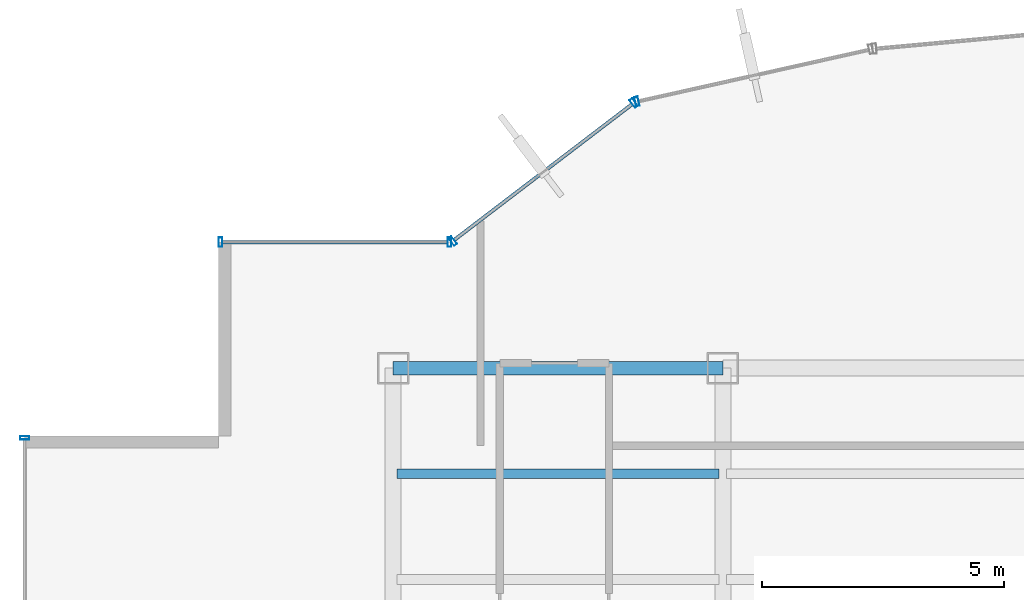
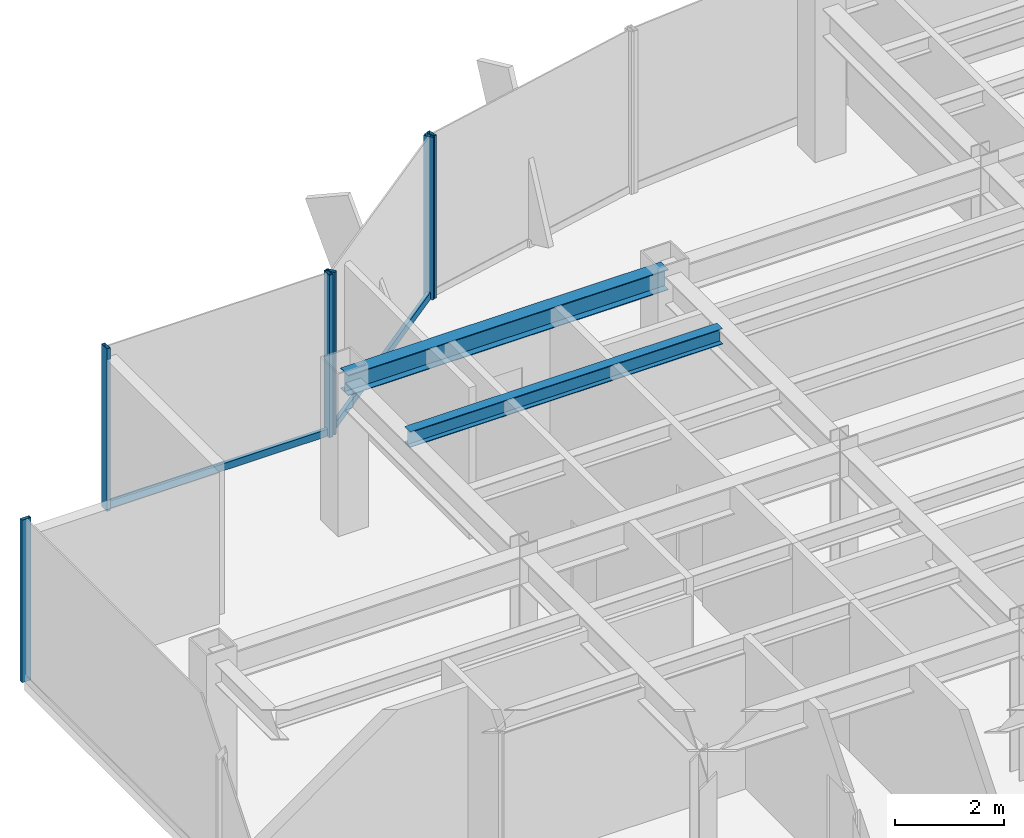
# One storey, part 14 of 25: 8 members, 2 beams, 4 elements without a shape of their own.
"""IFC4 building model written with IfcOpenShell, lengths in metres."""

from ifc_helpers import new_model, si_unit, derived_unit, direction, frame, origin, origin_2d, place, context, subcontext, project, spatial, hollow_rectangle, i_section, extrude, source, transform, mapped, material, material_profile, profile_set, type_object, element, aggregate, save


model = new_model("IFC4")

# Units and contexts
model_context = context("Model", 3, precision=1e-05, world=origin(), true_north=direction((0.0, 1.0)))
body_context = subcontext(model_context, "Body", "Model", "MODEL_VIEW")
ifc_project = project(units=[si_unit("LENGTHUNIT", "METRE"), si_unit("AREAUNIT", "SQUARE_METRE"), si_unit("VOLUMEUNIT", "CUBIC_METRE"), si_unit("PLANEANGLEUNIT", "RADIAN"), si_unit("MASSUNIT", "GRAM", prefix="KILO"), derived_unit("THERMALTRANSMITTANCEUNIT", [(si_unit("POWERUNIT", "WATT"), 1), (si_unit("LENGTHUNIT", "METRE"), -2), (si_unit("THERMODYNAMICTEMPERATUREUNIT", "KELVIN"), -1)])], contexts=[model_context])

# Site, building, storey
site_placement = place(None, origin())
site = spatial("IfcSite", under=ifc_project, at=site_placement, CompositionType="ELEMENT")
building_placement = place(site_placement, origin())
building = spatial("IfcBuilding", under=site, at=building_placement, Name="Skarnbrae Concourse Arena and Tower", CompositionType="ELEMENT")
storey_placement = place(building_placement, frame((0.0, 0.0, 169.800048828125)))
storey = spatial("IfcBuildingStorey", under=building, at=storey_placement, Name="L43", CompositionType="ELEMENT", Elevation=169.800048828125)

# Beams
ifc_material_1 = material(Name="Steel CSA G40.21 350W", Category="steel")
ifc_material_profile_1 = material_profile(ifc_material_1, i_section(OverallWidth=0.280029296875, OverallDepth=0.462890625, WebThickness=0.0107421875, FlangeThickness=0.017333984375, at=origin_2d()), Name="W460X113")
ifc_profile_set_1 = profile_set([ifc_material_profile_1], Name="Steel CSA G40.21 350W")
beam_type_1 = type_object("IfcBeamType", Name="BM-SPAN-W460X113", PredefinedType="SPANDREL", material=ifc_profile_set_1)
shared_shape_1 = source(origin(), body_context, "Body", "SweptSolid", [
    extrude(i_section(OverallWidth=0.280029296875, OverallDepth=0.462890625, WebThickness=0.0107421875, FlangeThickness=0.017333984375, at=origin_2d()), origin(), (0.0, 0.0, 1.0), 6.7998046875),
])
beam_1_placement = place(storey_placement, frame((7.60009765625, 34.39990234375, 3.16845703125), z_axis=(1.0, 0.0, 0.0), x_axis=(0.0, 1.0, 0.0)))
element("IfcBeam", 1, at=beam_1_placement, inside=storey, type_object=beam_type_1, Name="L43 Perimeter spandrel Y34.4-1", PredefinedType="SPANDREL", context=body_context, shape_type="MappedRepresentation", body=[
    mapped(shared_shape_1, transform((0.0, 0.0, 0.0))),
])
ifc_material_profile_2 = material_profile(ifc_material_1, i_section(OverallWidth=0.205078125, OverallDepth=0.35400390625, WebThickness=0.009521484375, FlangeThickness=0.016845703125, at=origin_2d()), Name="W360X79")
ifc_profile_set_2 = profile_set([ifc_material_profile_2], Name="Steel CSA G40.21 350W")
beam_type_2 = type_object("IfcBeamType", Name="BM-JOIST-W360X79", PredefinedType="JOIST", material=ifc_profile_set_2)
shared_shape_2 = source(origin(), body_context, "Body", "SweptSolid", [
    extrude(i_section(OverallWidth=0.205078125, OverallDepth=0.35400390625, WebThickness=0.009521484375, FlangeThickness=0.016845703125, at=origin_2d()), origin(), (0.0, 0.0, 1.0), 6.64013671875),
])
beam_2_placement = place(storey_placement, frame((7.679931640625, 32.221923828125, 3.222900390625), z_axis=(1.0, 0.0, 0.0), x_axis=(0.0, 1.0, 0.0)))
element("IfcBeam", 2, at=beam_2_placement, inside=storey, type_object=beam_type_2, Name="L43 Secondary floor joist 3.2.1", PredefinedType="JOIST", context=body_context, shape_type="MappedRepresentation", body=[
    mapped(shared_shape_2, transform((0.0, 0.0, 0.0))),
])

# Curtain wall, member
ifc_material_2 = material(Name="Bronze anodised aluminium 6063-T6", Category="aluminium")
curtain_wall_type = type_object("IfcCurtainWallType", Name="CW-SYS-04-MIDZONE", PredefinedType="USERDEFINED", material=ifc_material_2)
curtain_wall_1_placement = place(storey_placement, origin())
curtain_wall_1 = element("IfcCurtainWall", 3, at=curtain_wall_1_placement, inside=storey, type_object=curtain_wall_type, Name="L43 Unitised curtain wall CW-L43-E13", ObjectType="UNITISED CURTAIN WALL", PredefinedType="USERDEFINED")
ifc_material_profile_3 = material_profile(ifc_material_2, hollow_rectangle(XDim=0.074951171875, YDim=0.195068359375, WallThickness=0.00439453125, at=origin_2d()), Name="ALU-MULL-75X195")
ifc_profile_set_3 = profile_set([ifc_material_profile_3], Name="Bronze anodised aluminium 6063-T6")
member_type_1 = type_object("IfcMemberType", Name="CWM-CW-04", PredefinedType="MULLION", material=ifc_profile_set_3)
shared_shape_3 = source(origin(), body_context, "Body", "SweptSolid", [
    extrude(hollow_rectangle(XDim=0.074951171875, YDim=0.195068359375, WallThickness=0.00439453125, at=origin_2d()), origin(), (0.0, 0.0, 1.0), 3.64990234375),
])
member_1_placement = place(storey_placement, frame((12.627197265625, 39.90087890625, 0.0), z_axis=(0.0, 0.0, 1.0), x_axis=(-0.975936175393, -0.218056372433, 0.0)))
member_1 = element("IfcMember", 4, at=member_1_placement, type_object=member_type_1, Name="CW-L43-E13 Mullion 2", PredefinedType="MULLION", context=body_context, shape_type="MappedRepresentation", body=[
    mapped(shared_shape_3, transform((0.0, 0.0, 0.0))),
])
aggregate(curtain_wall_1, [member_1])

# Curtain wall, members
curtain_wall_2_placement = place(storey_placement, origin())
curtain_wall_2 = element("IfcCurtainWall", 5, at=curtain_wall_2_placement, inside=storey, type_object=curtain_wall_type, Name="L43 Unitised curtain wall CW-L43-E14", ObjectType="UNITISED CURTAIN WALL", PredefinedType="USERDEFINED")
member_2_placement = place(storey_placement, frame((12.560791015625, 39.869873046875, 0.0), z_axis=(0.0, 0.0, 1.0), x_axis=(-0.794956000706, -0.606667089054, 0.0)))
member_2 = element("IfcMember", 6, at=member_2_placement, type_object=member_type_1, Name="CW-L43-E14 Mullion 1", PredefinedType="MULLION", context=body_context, shape_type="MappedRepresentation", body=[
    mapped(shared_shape_3, transform((0.0, 0.0, 0.0))),
])
member_3_placement = place(storey_placement, frame((8.829833984375, 37.022705078125, 0.0), z_axis=(0.0, 0.0, 1.0), x_axis=(-0.794956000706, -0.606667089054, 0.0)))
member_3 = element("IfcMember", 7, at=member_3_placement, type_object=member_type_1, Name="CW-L43-E14 Mullion 2", PredefinedType="MULLION", context=body_context, shape_type="MappedRepresentation", body=[
    mapped(shared_shape_3, transform((0.0, 0.0, 0.0))),
])

curtain_wall_3_placement = place(storey_placement, origin())
curtain_wall_3 = element("IfcCurtainWall", 8, at=curtain_wall_3_placement, inside=storey, type_object=curtain_wall_type, Name="L43 Unitised curtain wall CW-L43-E15", ObjectType="UNITISED CURTAIN WALL", PredefinedType="USERDEFINED")
member_4_placement = place(storey_placement, frame((8.762451171875, 37.0, 0.0), z_axis=(0.0, 0.0, 1.0), x_axis=(-1.0, 0.0, 0.0)))
member_4 = element("IfcMember", 9, at=member_4_placement, type_object=member_type_1, Name="CW-L43-E15 Mullion 1", PredefinedType="MULLION", context=body_context, shape_type="MappedRepresentation", body=[
    mapped(shared_shape_3, transform((0.0, 0.0, 0.0))),
])
member_5_placement = place(storey_placement, frame((4.03759765625, 37.0, 0.0), z_axis=(0.0, 0.0, 1.0), x_axis=(-1.0, 0.0, 0.0)))
member_5 = element("IfcMember", 10, at=member_5_placement, type_object=member_type_1, Name="CW-L43-E15 Mullion 2", PredefinedType="MULLION", context=body_context, shape_type="MappedRepresentation", body=[
    mapped(shared_shape_3, transform((0.0, 0.0, 0.0))),
])

# Curtain wall, member
curtain_wall_4_placement = place(storey_placement, origin())
curtain_wall_4 = element("IfcCurtainWall", 11, at=curtain_wall_4_placement, inside=storey, type_object=curtain_wall_type, Name="L43 Unitised curtain wall CW-L43-E18", ObjectType="UNITISED CURTAIN WALL", PredefinedType="USERDEFINED")
member_6_placement = place(storey_placement, frame((0.0, 32.96240234375, 0.0), z_axis=(0.0, 0.0, 1.0), x_axis=(0.0, -1.0, 0.0)))
member_6 = element("IfcMember", 12, at=member_6_placement, type_object=member_type_1, Name="CW-L43-E18 Mullion 1", PredefinedType="MULLION", context=body_context, shape_type="MappedRepresentation", body=[
    mapped(shared_shape_3, transform((0.0, 0.0, 0.0))),
])
aggregate(curtain_wall_4, [member_6])

# Member
ifc_material_profile_4 = material_profile(ifc_material_2, hollow_rectangle(XDim=0.074951171875, YDim=0.159912109375, WallThickness=0.00439453125, at=origin_2d()), Name="ALU-TRAN-75X160")
ifc_profile_set_4 = profile_set([ifc_material_profile_4], Name="Bronze anodised aluminium 6063-T6")
member_type_2 = type_object("IfcMemberType", Name="CWT-CW-04", PredefinedType="USERDEFINED", material=ifc_profile_set_4)
shared_shape_4 = source(origin(), body_context, "Body", "SweptSolid", [
    extrude(hollow_rectangle(XDim=0.074951171875, YDim=0.159912109375, WallThickness=0.00439453125, at=origin_2d()), origin(), (0.0, 0.0, 1.0), 4.650146484375),
])
member_7_placement = place(storey_placement, frame((8.72509765625, 37.0, 0.079833984375), z_axis=(-1.0, 0.0, 0.0), x_axis=(0.0, -1.0, 0.0)))
member_7 = element("IfcMember", 13, at=member_7_placement, type_object=member_type_2, Name="CW-L43-E15 Transom 1", ObjectType="TRANSOM", PredefinedType="USERDEFINED", context=body_context, shape_type="MappedRepresentation", body=[
    mapped(shared_shape_4, transform((0.0, 0.0, 0.0))),
])

aggregate(curtain_wall_3, [member_4, member_5, member_7])

shared_shape_5 = source(origin(), body_context, "Body", "SweptSolid", [
    extrude(hollow_rectangle(XDim=0.074951171875, YDim=0.159912109375, WallThickness=0.00439453125, at=origin_2d()), origin(), (0.0, 0.0, 1.0), 4.618408203125),
])
member_8_placement = place(storey_placement, frame((12.531005859375, 39.84716796875, 0.079833984375), z_axis=(-0.794960638756, -0.606661011462, 0.0), x_axis=(0.606661011462, -0.794960638756, 0.0)))
member_8 = element("IfcMember", 14, at=member_8_placement, type_object=member_type_2, Name="CW-L43-E14 Transom 1", ObjectType="TRANSOM", PredefinedType="USERDEFINED", context=body_context, shape_type="MappedRepresentation", body=[
    mapped(shared_shape_5, transform((0.0, 0.0, 0.0))),
])

aggregate(curtain_wall_2, [member_2, member_3, member_8])

save(model, "model.ifc")
